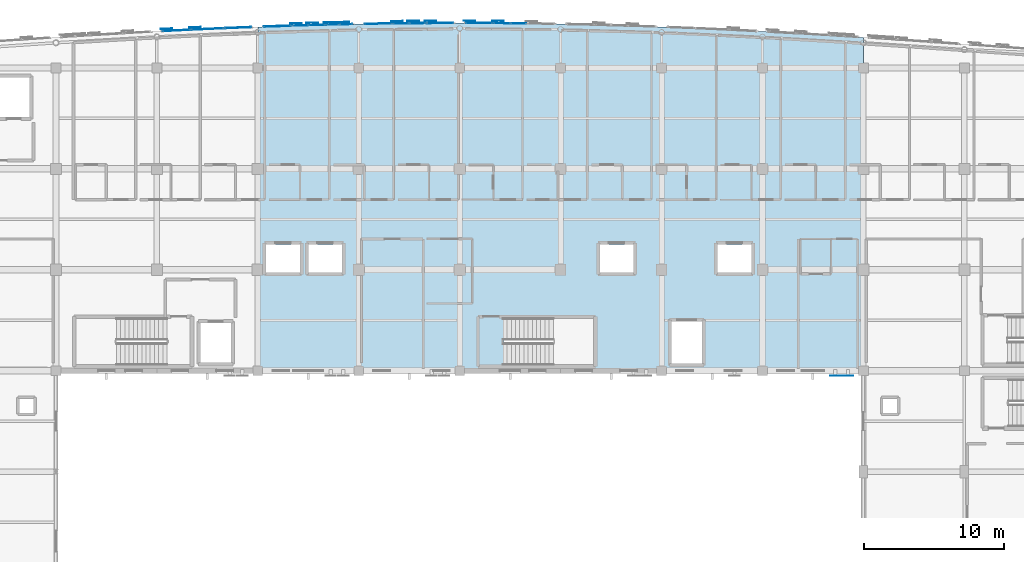
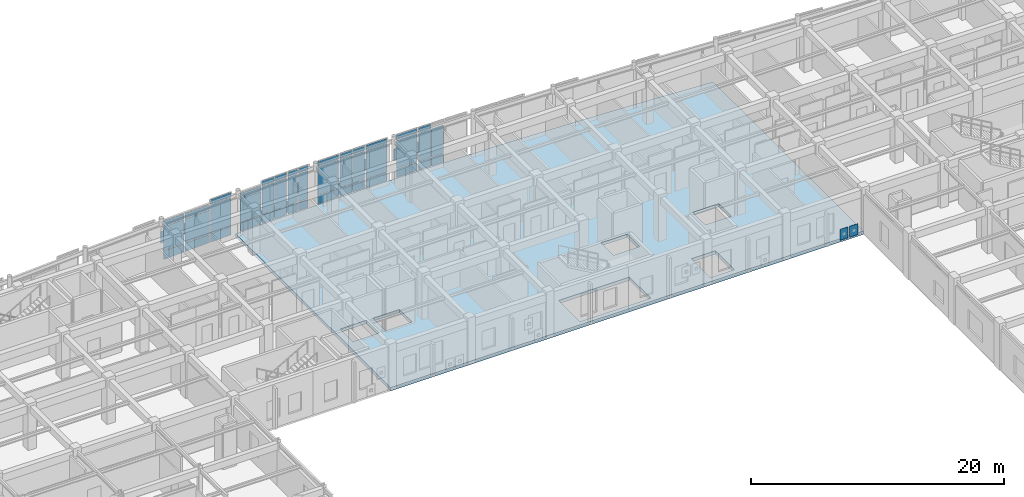
# One storey, part 65 of 106: 57 plates, 1 slab, 11 elements without a shape of their own.
"""IFC4 building model written with IfcOpenShell, lengths in metres."""

import ifcopenshell
import ifcopenshell.guid

model = None  # the IFC model being written
_history = None  # IfcOwnerHistory: only IFC2X3 demands one
_inside = {}  # id of a spatial element -> (the spatial element, [elements in it])
_under = {}  # id of a project, library or spatial element -> (it, [spatial elements below it])
_declared = {}  # id of a project -> (the project, [libraries it declares])
_typed = {}  # id of a type object -> (the type object, [elements of that type])
_made_of = {}  # id of a material, layer set ... -> (it, [elements and type objects made of it])


def new_model(schema):
    """Start an empty IFC model of exactly this schema.

    Asked for "IFC4X3", IfcOpenShell would pick the latest addendum, in which some entities
    have other attributes; the version numbers below select the first issue.
    IFC2X3 requires an IfcOwnerHistory on every rooted entity: one is made here for all.
    """
    global model, _history
    if schema == "IFC4X3":
        model = ifcopenshell.file(schema_version=(4, 3, 0, 0))
    else:
        model = ifcopenshell.file(schema=schema)
    _inside.clear()
    _under.clear()
    _declared.clear()
    _typed.clear()
    _made_of.clear()
    _history = None
    if model.schema == "IFC2X3":
        org = make("IfcOrganization", Name="unknown")
        user = make(
            "IfcPersonAndOrganization",
            ThePerson=make("IfcPerson", FamilyName="unknown"),
            TheOrganization=org,
        )
        app = make(
            "IfcApplication",
            ApplicationDeveloper=org,
            Version="unknown",
            ApplicationFullName="unknown",
            ApplicationIdentifier="unknown",
        )
        _history = make(
            "IfcOwnerHistory",
            OwningUser=user,
            OwningApplication=app,
            ChangeAction="ADDED",
            CreationDate=0,
        )
    return model


def make(cls, **values):
    """One entity of the class cls with the attributes given. An attribute that is None is left unset."""
    return model.create_entity(
        cls, **{name: value for name, value in values.items() if value is not None}
    )


def rooted(cls, **values):
    """An entity with a GlobalId (a new one), such as an element, a storey or a relation."""
    return make(cls, GlobalId=ifcopenshell.guid.new(), OwnerHistory=_history, **values)


def si_unit(unit_type, name, prefix=None):
    """IfcSIUnit, for example si_unit("LENGTHUNIT", "METRE", prefix="MILLI")."""
    return make("IfcSIUnit", UnitType=unit_type, Prefix=prefix, Name=name)


def assignment(units):
    """IfcUnitAssignment: the units of a project."""
    return None if units is None else make("IfcUnitAssignment", Units=units)


def point(xyz):
    """IfcCartesianPoint."""
    return None if xyz is None else make("IfcCartesianPoint", Coordinates=xyz)


def direction(xyz):
    """IfcDirection."""
    return None if xyz is None else make("IfcDirection", DirectionRatios=xyz)


def frame(location, z_axis=None, x_axis=None):
    """IfcAxis2Placement3D, a coordinate frame: its origin and axes. An axis left out is left unset."""
    return make(
        "IfcAxis2Placement3D",
        Location=point(location),
        Axis=direction(z_axis),
        RefDirection=direction(x_axis),
    )


def frame_2d(location, x_axis=None):
    """IfcAxis2Placement2D, a coordinate frame in the plane: its origin and x axis."""
    return make(
        "IfcAxis2Placement2D", Location=point(location), RefDirection=direction(x_axis)
    )


def origin():
    """The frame at (0, 0, 0) with its axes left unset."""
    return frame((0.0, 0.0, 0.0))


def origin_2d():
    """The frame at (0, 0) in the plane with its x axis left unset."""
    return frame_2d((0.0, 0.0))


def place(relative_to, where):
    """IfcLocalPlacement: puts the frame where relative to a parent placement (None: the world)."""
    return make(
        "IfcLocalPlacement", PlacementRelTo=relative_to, RelativePlacement=where
    )


def context(
    kind, dimensions, precision=None, world=None, true_north=None, identifier=None
):
    """IfcGeometricRepresentationContext, for example the 3D "Model" context."""
    return make(
        "IfcGeometricRepresentationContext",
        ContextIdentifier=identifier,
        ContextType=kind,
        CoordinateSpaceDimension=dimensions,
        Precision=precision,
        WorldCoordinateSystem=world,
        TrueNorth=true_north,
    )


def subcontext(parent, identifier, kind, view, scale=None):
    """IfcGeometricRepresentationSubContext, for example "Body" below "Model"."""
    return make(
        "IfcGeometricRepresentationSubContext",
        ContextIdentifier=identifier,
        ContextType=kind,
        ParentContext=parent,
        TargetScale=scale,
        TargetView=view,
    )


def project(units=None, contexts=None):
    """IfcProject with its units and contexts."""
    return rooted(
        "IfcProject",
        Name="project",
        RepresentationContexts=contexts,
        UnitsInContext=assignment(units),
    )


def spatial(cls, under=None, at=None, **own):
    """A site, building, storey or space (cls), placed at a placement, below another one or the project."""
    s = rooted(cls, ObjectPlacement=at, **own)
    if under is not None:
        _under.setdefault(under.id(), (under, []))[1].append(s)
    return s


def polyline(points):
    """IfcPolyline through the points."""
    return make("IfcPolyline", Points=[point(p) for p in points])


def profile(cls, at=None, kind="AREA", **sizes):
    """A parametric profile (cls). Its sizes go by their IFC names, for example OverallWidth=200.0."""
    return make(cls, ProfileType=kind, Position=at, **sizes)


def rectangle(**sizes):
    """IfcRectangleProfileDef."""
    return profile("IfcRectangleProfileDef", **sizes)


def outline(outer, holes=None, kind="AREA"):
    """IfcArbitraryClosedProfileDef: a profile drawn as a closed curve; with holes, ...WithVoids."""
    if holes is None:
        return make("IfcArbitraryClosedProfileDef", ProfileType=kind, OuterCurve=outer)
    return make(
        "IfcArbitraryProfileDefWithVoids",
        ProfileType=kind,
        OuterCurve=outer,
        InnerCurves=holes,
    )


def extrude(swept, where, along, depth):
    """IfcExtrudedAreaSolid: the profile swept, set in the frame where, extruded along a direction by depth."""
    return make(
        "IfcExtrudedAreaSolid",
        SweptArea=swept,
        Position=where,
        ExtrudedDirection=direction(along),
        Depth=depth,
    )


def shape(context_of_items, identifier, shape_type, items):
    """IfcShapeRepresentation: the items that make up one representation, for example the "Body"."""
    return make(
        "IfcShapeRepresentation",
        ContextOfItems=context_of_items,
        RepresentationIdentifier=identifier,
        RepresentationType=shape_type,
        Items=items,
    )


def material(Name=None, Category=None):
    """IfcMaterial."""
    return make("IfcMaterial", Name=Name, Category=Category)


def layer(
    of_material, thickness, ventilated=None, Name=None, Category=None, Priority=None
):
    """IfcMaterialLayer: one layer of a wall or slab, of a material (None: an air gap)."""
    return make(
        "IfcMaterialLayer",
        Material=of_material,
        LayerThickness=thickness,
        IsVentilated=ventilated,
        Name=Name,
        Category=Category,
        Priority=Priority,
    )


def layer_set(layers, Name=None):
    """IfcMaterialLayerSet."""
    return make("IfcMaterialLayerSet", MaterialLayers=layers, LayerSetName=Name)


def made_of(thing, what):
    """Note that an element or type object is made of a material, layer set ...; save() writes the relation."""
    if what is not None:
        _made_of.setdefault(what.id(), (what, []))[1].append(thing)
    return thing


def type_object(cls, material=None, **own):
    """A type object (cls), such as IfcWallType, which elements share."""
    return made_of(rooted(cls, **own), material)


def element(
    cls,
    number,
    at=None,
    inside=None,
    cuts=None,
    type_object=None,
    material=None,
    context=None,
    identifier="Body",
    shape_type=None,
    held_by="IfcProductDefinitionShape",
    body=None,
    shapes=None,
    **own,
):
    """One element of the class cls, such as IfcWall. Its Tag is "e" and its number.

    at: its placement. inside: the storey or other place that contains it. cuts: it is an
    opening in that element (IfcRelVoidsElement). A single representation is given by context,
    identifier, shape_type and body (its items); several are given by shapes. held_by: the class
    of the entity that holds the representations. save() writes the other relations.
    """
    e = rooted(cls, Tag="e%d" % number, ObjectPlacement=at, **own)
    if body is not None:
        shapes = [shape(context, identifier, shape_type, body)]
    if shapes is not None:
        e.Representation = make(held_by, Representations=shapes)
    if inside is not None:
        _inside.setdefault(inside.id(), (inside, []))[1].append(e)
    if cuts is not None:
        rooted(
            "IfcRelVoidsElement", RelatingBuildingElement=cuts, RelatedOpeningElement=e
        )
    if type_object is not None:
        _typed.setdefault(type_object.id(), (type_object, []))[1].append(e)
    return made_of(e, material)


def aggregate(whole, parts):
    """IfcRelAggregates: a whole, such as a stair, and the parts it consists of."""
    return rooted("IfcRelAggregates", RelatingObject=whole, RelatedObjects=parts)


def save(model, path):
    """Write the relations noted so far, then the file.

    IfcRelAggregates (storeys below a building ...), IfcRelContainedInSpatialStructure (elements
    in a storey), IfcRelDefinesByType, IfcRelAssociatesMaterial and IfcRelDeclares: one each for
    every whole, place, type object, material and project.
    """
    for whole, parts in _under.values():
        aggregate(whole, parts)
    for where, things in _inside.values():
        rooted(
            "IfcRelContainedInSpatialStructure",
            RelatedElements=things,
            RelatingStructure=where,
        )
    for kind, things in _typed.values():
        rooted("IfcRelDefinesByType", RelatedObjects=things, RelatingType=kind)
    for what, things in _made_of.values():
        rooted("IfcRelAssociatesMaterial", RelatedObjects=things, RelatingMaterial=what)
    for by, libraries in _declared.values():
        rooted("IfcRelDeclares", RelatingContext=by, RelatedDefinitions=libraries)
    model.write(path)


model = new_model("IFC4")

# Units and contexts
model_context = context("Model", 3, precision=1e-05, world=origin(), true_north=direction((0.0, 1.0)))
body_context = subcontext(model_context, "Body", "Model", "MODEL_VIEW")
ifc_project = project(units=[si_unit("LENGTHUNIT", "METRE"), si_unit("AREAUNIT", "SQUARE_METRE"), si_unit("VOLUMEUNIT", "CUBIC_METRE"), si_unit("PLANEANGLEUNIT", "RADIAN"), si_unit("MASSUNIT", "GRAM", prefix="KILO")], contexts=[model_context])

# Site, building, storey
site_placement = place(None, origin())
site = spatial("IfcSite", under=ifc_project, at=site_placement, CompositionType="ELEMENT")
building_placement = place(site_placement, origin())
building = spatial("IfcBuilding", under=site, at=building_placement, Name="Carrowvane Square Congress Hotel", CompositionType="ELEMENT")
storey_placement = place(building_placement, frame((0.0, 0.0, 10.5)))
storey = spatial("IfcBuildingStorey", under=building, at=storey_placement, Name="L02", CompositionType="ELEMENT", Elevation=10.5)

# Curtain wall, plates
ifc_material_1 = material(Name="Anodised aluminium", Category="aluminium")
ifc_layer_1 = layer(ifc_material_1, 0.23388671875)
ifc_layer_set_1 = layer_set([ifc_layer_1], Name="Anodised aluminium")
curtain_wall_type_1 = type_object("IfcCurtainWallType", Name="CW-SYS-7", PredefinedType="NOTDEFINED", material=ifc_layer_set_1)
curtain_wall_1_placement = place(storey_placement, origin())
curtain_wall_1 = element("IfcCurtainWall", 1, at=curtain_wall_1_placement, inside=storey, type_object=curtain_wall_type_1, Name="L02 unitised curtain wall 150", PredefinedType="NOTDEFINED")
ifc_material_2 = material(Name="Double-glazed low-E glass", Category="glass")
ifc_layer_2 = layer(ifc_material_2, 0.028076171875)
ifc_layer_set_2 = layer_set([ifc_layer_2], Name="Double-glazed low-E glass")
plate_type_1 = type_object("IfcPlateType", Name="CW-PAN-1", PredefinedType="CURTAIN_PANEL", material=ifc_layer_set_2)
plate_1_placement = place(storey_placement, frame((86.614990234375, 116.424560546875, 0.06005859375), z_axis=(0.0, 0.0, 1.0), x_axis=(0.999589848065, 0.028638010501, 0.0)))
plate_1 = element("IfcPlate", 2, at=plate_1_placement, type_object=plate_type_1, Name="CW-7 panel 1.1", PredefinedType="CURTAIN_PANEL", context=body_context, shape_type="SweptSolid", body=[
    extrude(rectangle(XDim=1.110595703125, YDim=0.028076171875, at=origin_2d()), origin(), (0.0, 0.0, 1.0), 0.81005859375),
])
plate_2_placement = place(storey_placement, frame((86.614990234375, 116.424560546875, 0.929931640625), z_axis=(0.0, 0.0, 1.0), x_axis=(0.999589848065, 0.028638010501, 0.0)))
plate_2 = element("IfcPlate", 3, at=plate_2_placement, type_object=plate_type_1, Name="CW-7 panel 1.2", PredefinedType="CURTAIN_PANEL", context=body_context, shape_type="SweptSolid", body=[
    extrude(rectangle(XDim=1.110595703125, YDim=0.028076171875, at=origin_2d()), origin(), (0.0, 0.0, 1.0), 2.7099609375),
])
plate_3_placement = place(storey_placement, frame((86.614990234375, 116.424560546875, 3.699951171875), z_axis=(0.0, 0.0, 1.0), x_axis=(0.999589848065, 0.028638010501, 0.0)))
plate_3 = element("IfcPlate", 4, at=plate_3_placement, type_object=plate_type_1, Name="CW-7 panel 1.3", PredefinedType="CURTAIN_PANEL", context=body_context, shape_type="SweptSolid", body=[
    extrude(rectangle(XDim=1.110595703125, YDim=0.028076171875, at=origin_2d()), origin(), (0.0, 0.0, 1.0), 0.4599609375),
])
plate_4_placement = place(storey_placement, frame((87.784912109375, 116.4580078125, 0.06005859375), z_axis=(0.0, 0.0, 1.0), x_axis=(0.999589848065, 0.028638010501, 0.0)))
plate_4 = element("IfcPlate", 5, at=plate_4_placement, type_object=plate_type_1, Name="CW-7 panel 2.1", PredefinedType="CURTAIN_PANEL", context=body_context, shape_type="SweptSolid", body=[
    extrude(rectangle(XDim=1.110595703125, YDim=0.028076171875, at=origin_2d()), origin(), (0.0, 0.0, 1.0), 0.81005859375),
])
plate_5_placement = place(storey_placement, frame((87.784912109375, 116.4580078125, 0.929931640625), z_axis=(0.0, 0.0, 1.0), x_axis=(0.999589848065, 0.028638010501, 0.0)))
plate_5 = element("IfcPlate", 6, at=plate_5_placement, type_object=plate_type_1, Name="CW-7 panel 2.2", PredefinedType="CURTAIN_PANEL", context=body_context, shape_type="SweptSolid", body=[
    extrude(rectangle(XDim=1.110595703125, YDim=0.028076171875, at=origin_2d()), origin(), (0.0, 0.0, 1.0), 2.7099609375),
])
plate_6_placement = place(storey_placement, frame((87.784912109375, 116.4580078125, 3.699951171875), z_axis=(0.0, 0.0, 1.0), x_axis=(0.999589848065, 0.028638010501, 0.0)))
plate_6 = element("IfcPlate", 7, at=plate_6_placement, type_object=plate_type_1, Name="CW-7 panel 2.3", PredefinedType="CURTAIN_PANEL", context=body_context, shape_type="SweptSolid", body=[
    extrude(rectangle(XDim=1.110595703125, YDim=0.028076171875, at=origin_2d()), origin(), (0.0, 0.0, 1.0), 0.4599609375),
])
aggregate(curtain_wall_1, [plate_1, plate_2, plate_3, plate_4, plate_5, plate_6])

ifc_material_3 = material(Name="Anodised aluminium", Category="aluminium")
ifc_layer_3 = layer(ifc_material_3, 0.197998046875)
ifc_layer_set_3 = layer_set([ifc_layer_3], Name="Anodised aluminium")
curtain_wall_type_2 = type_object("IfcCurtainWallType", Name="CW-SYS-4", PredefinedType="NOTDEFINED", material=ifc_layer_set_3)
curtain_wall_2_placement = place(storey_placement, origin())
curtain_wall_2 = element("IfcCurtainWall", 8, at=curtain_wall_2_placement, inside=storey, type_object=curtain_wall_type_2, Name="L02 unitised curtain wall 155", PredefinedType="NOTDEFINED")
plate_7_placement = place(storey_placement, frame((99.392333984375, 116.595458984375, 0.070068359375), z_axis=(0.0, 0.0, 1.0), x_axis=(0.999994652529, -0.003270307911, 0.0)))
plate_7 = element("IfcPlate", 9, at=plate_7_placement, type_object=plate_type_1, Name="CW-4 panel 1.1", PredefinedType="CURTAIN_PANEL", context=body_context, shape_type="SweptSolid", body=[
    extrude(rectangle(XDim=1.875, YDim=0.028076171875, at=origin_2d()), origin(), (0.0, 0.0, 1.0), 0.794921875),
])
plate_8_placement = place(storey_placement, frame((99.392333984375, 116.595458984375, 0.93505859375), z_axis=(0.0, 0.0, 1.0), x_axis=(0.999994652529, -0.003270307911, 0.0)))
plate_8 = element("IfcPlate", 10, at=plate_8_placement, type_object=plate_type_1, Name="CW-4 panel 1.2", PredefinedType="CURTAIN_PANEL", context=body_context, shape_type="SweptSolid", body=[
    extrude(rectangle(XDim=1.875, YDim=0.028076171875, at=origin_2d()), origin(), (0.0, 0.0, 1.0), 2.699951171875),
])
plate_9_placement = place(storey_placement, frame((99.392333984375, 116.595458984375, 3.705078125), z_axis=(0.0, 0.0, 1.0), x_axis=(0.999994652529, -0.003270307911, 0.0)))
plate_9 = element("IfcPlate", 11, at=plate_9_placement, type_object=plate_type_1, Name="CW-4 panel 1.3", PredefinedType="CURTAIN_PANEL", context=body_context, shape_type="SweptSolid", body=[
    extrude(rectangle(XDim=1.875, YDim=0.028076171875, at=origin_2d()), origin(), (0.0, 0.0, 1.0), 0.445068359375),
])
aggregate(curtain_wall_2, [plate_7, plate_8, plate_9])

ifc_material_4 = material(Name="Anodised aluminium", Category="aluminium")
ifc_layer_4 = layer(ifc_material_4, 0.18603515625)
ifc_layer_set_4 = layer_set([ifc_layer_4], Name="Anodised aluminium")
curtain_wall_type_3 = type_object("IfcCurtainWallType", Name="CW-SYS-3", PredefinedType="NOTDEFINED", material=ifc_layer_set_4)
curtain_wall_3_placement = place(storey_placement, origin())
curtain_wall_3 = element("IfcCurtainWall", 12, at=curtain_wall_3_placement, inside=storey, type_object=curtain_wall_type_3, Name="L02 unitised curtain wall 146", PredefinedType="NOTDEFINED")
ifc_material_5 = material(Name="Double-glazed low-E glass", Category="glass")
ifc_layer_5 = layer(ifc_material_5, 0.031982421875)
ifc_layer_set_5 = layer_set([ifc_layer_5], Name="Double-glazed low-E glass")
plate_type_2 = type_object("IfcPlateType", Name="CW-PAN-2", PredefinedType="CURTAIN_PANEL", material=ifc_layer_set_5)
plate_10_placement = place(storey_placement, frame((77.7822265625, 116.067138671875, 0.06005859375), z_axis=(0.0, 0.0, 1.0), x_axis=(0.998732955299, 0.050323791596, 0.0)))
plate_10 = element("IfcPlate", 13, at=plate_10_placement, type_object=plate_type_2, Name="CW-3 panel 1.1", PredefinedType="CURTAIN_PANEL", context=body_context, shape_type="SweptSolid", body=[
    extrude(rectangle(XDim=1.91796875, YDim=0.031982421875, at=origin_2d()), origin(), (0.0, 0.0, 1.0), 0.81005859375),
])
plate_11_placement = place(storey_placement, frame((77.7822265625, 116.067138671875, 0.929931640625), z_axis=(0.0, 0.0, 1.0), x_axis=(0.998732955299, 0.050323791596, 0.0)))
plate_11 = element("IfcPlate", 14, at=plate_11_placement, type_object=plate_type_2, Name="CW-3 panel 1.2", PredefinedType="CURTAIN_PANEL", context=body_context, shape_type="SweptSolid", body=[
    extrude(rectangle(XDim=1.91796875, YDim=0.031982421875, at=origin_2d()), origin(), (0.0, 0.0, 1.0), 2.28564453125),
])
plate_12_placement = place(storey_placement, frame((77.7822265625, 116.067138671875, 3.275634765625), z_axis=(0.0, 0.0, 1.0), x_axis=(0.998732955299, 0.050323791596, 0.0)))
plate_12 = element("IfcPlate", 15, at=plate_12_placement, type_object=plate_type_2, Name="CW-3 panel 1.3", PredefinedType="CURTAIN_PANEL", context=body_context, shape_type="SweptSolid", body=[
    extrude(rectangle(XDim=1.91796875, YDim=0.031982421875, at=origin_2d()), origin(), (0.0, 0.0, 1.0), 0.4599609375),
])
aggregate(curtain_wall_3, [plate_10, plate_11, plate_12])

ifc_material_6 = material(Name="Anodised aluminium", Category="aluminium")
ifc_layer_6 = layer(ifc_material_6, 0.24609375)
ifc_layer_set_6 = layer_set([ifc_layer_6], Name="Anodised aluminium")
curtain_wall_type_4 = type_object("IfcCurtainWallType", Name="CW-SYS-8", PredefinedType="NOTDEFINED", material=ifc_layer_set_6)
curtain_wall_4_placement = place(storey_placement, origin())
curtain_wall_4 = element("IfcCurtainWall", 16, at=curtain_wall_4_placement, inside=storey, type_object=curtain_wall_type_4, Name="L02 unitised curtain wall 151", PredefinedType="NOTDEFINED")
plate_13_placement = place(storey_placement, frame((88.91943359375, 116.4873046875, 0.070068359375), z_axis=(0.0, 0.0, 1.0), x_axis=(0.99974644475, 0.022517686606, 0.0)))
plate_13 = element("IfcPlate", 17, at=plate_13_placement, type_object=plate_type_2, Name="CW-8 panel 1.1", PredefinedType="CURTAIN_PANEL", context=body_context, shape_type="SweptSolid", body=[
    extrude(rectangle(XDim=0.899169921875, YDim=0.031982421875, at=origin_2d()), origin(), (0.0, 0.0, 1.0), 0.794921875),
])
plate_14_placement = place(storey_placement, frame((88.91943359375, 116.4873046875, 0.93505859375), z_axis=(0.0, 0.0, 1.0), x_axis=(0.99974644475, 0.022517686606, 0.0)))
plate_14 = element("IfcPlate", 18, at=plate_14_placement, type_object=plate_type_2, Name="CW-8 panel 1.2", PredefinedType="CURTAIN_PANEL", context=body_context, shape_type="SweptSolid", body=[
    extrude(rectangle(XDim=0.899169921875, YDim=0.031982421875, at=origin_2d()), origin(), (0.0, 0.0, 1.0), 2.699951171875),
])
plate_15_placement = place(storey_placement, frame((88.91943359375, 116.4873046875, 3.705078125), z_axis=(0.0, 0.0, 1.0), x_axis=(0.99974644475, 0.022517686606, 0.0)))
plate_15 = element("IfcPlate", 19, at=plate_15_placement, type_object=plate_type_2, Name="CW-8 panel 1.3", PredefinedType="CURTAIN_PANEL", context=body_context, shape_type="SweptSolid", body=[
    extrude(rectangle(XDim=0.899169921875, YDim=0.031982421875, at=origin_2d()), origin(), (0.0, 0.0, 1.0), 0.445068359375),
])
plate_16_placement = place(storey_placement, frame((89.88818359375, 116.50927734375, 0.070068359375), z_axis=(0.0, 0.0, 1.0), x_axis=(0.99974644475, 0.022517686606, 0.0)))
plate_16 = element("IfcPlate", 20, at=plate_16_placement, type_object=plate_type_2, Name="CW-8 panel 2.1", PredefinedType="CURTAIN_PANEL", context=body_context, shape_type="SweptSolid", body=[
    extrude(rectangle(XDim=0.899169921875, YDim=0.031982421875, at=origin_2d()), origin(), (0.0, 0.0, 1.0), 0.794921875),
])
plate_17_placement = place(storey_placement, frame((89.88818359375, 116.50927734375, 0.93505859375), z_axis=(0.0, 0.0, 1.0), x_axis=(0.99974644475, 0.022517686606, 0.0)))
plate_17 = element("IfcPlate", 21, at=plate_17_placement, type_object=plate_type_2, Name="CW-8 panel 2.2", PredefinedType="CURTAIN_PANEL", context=body_context, shape_type="SweptSolid", body=[
    extrude(rectangle(XDim=0.899169921875, YDim=0.031982421875, at=origin_2d()), origin(), (0.0, 0.0, 1.0), 2.699951171875),
])
plate_18_placement = place(storey_placement, frame((89.88818359375, 116.50927734375, 3.705078125), z_axis=(0.0, 0.0, 1.0), x_axis=(0.99974644475, 0.022517686606, 0.0)))
plate_18 = element("IfcPlate", 22, at=plate_18_placement, type_object=plate_type_2, Name="CW-8 panel 2.3", PredefinedType="CURTAIN_PANEL", context=body_context, shape_type="SweptSolid", body=[
    extrude(rectangle(XDim=0.899169921875, YDim=0.031982421875, at=origin_2d()), origin(), (0.0, 0.0, 1.0), 0.445068359375),
])
aggregate(curtain_wall_4, [plate_13, plate_14, plate_15, plate_16, plate_17, plate_18])

ifc_material_7 = material(Name="Anodised aluminium", Category="aluminium")
ifc_layer_7 = layer(ifc_material_7, 0.2099609375)
ifc_layer_set_7 = layer_set([ifc_layer_7], Name="Anodised aluminium")
curtain_wall_type_5 = type_object("IfcCurtainWallType", Name="CW-SYS-5", PredefinedType="NOTDEFINED", material=ifc_layer_set_7)
curtain_wall_5_placement = place(storey_placement, origin())
curtain_wall_5 = element("IfcCurtainWall", 23, at=curtain_wall_5_placement, inside=storey, type_object=curtain_wall_type_5, Name="L02 unitised curtain wall 156", PredefinedType="NOTDEFINED")
plate_19_placement = place(storey_placement, frame((101.014892578125, 116.586181640625, 0.06005859375), z_axis=(0.0, 0.0, 1.0), x_axis=(0.999952146231, -0.009782905924, 0.0)))
plate_19 = element("IfcPlate", 24, at=plate_19_placement, type_object=plate_type_2, Name="CW-5 panel 1.1", PredefinedType="CURTAIN_PANEL", context=body_context, shape_type="SweptSolid", body=[
    extrude(rectangle(XDim=1.110107421875, YDim=0.031982421875, at=origin_2d()), origin(), (0.0, 0.0, 1.0), 0.81005859375),
])
plate_20_placement = place(storey_placement, frame((101.014892578125, 116.586181640625, 0.929931640625), z_axis=(0.0, 0.0, 1.0), x_axis=(0.999952146231, -0.009782905924, 0.0)))
plate_20 = element("IfcPlate", 25, at=plate_20_placement, type_object=plate_type_2, Name="CW-5 panel 1.2", PredefinedType="CURTAIN_PANEL", context=body_context, shape_type="SweptSolid", body=[
    extrude(rectangle(XDim=1.110107421875, YDim=0.031982421875, at=origin_2d()), origin(), (0.0, 0.0, 1.0), 2.7099609375),
])
plate_21_placement = place(storey_placement, frame((101.014892578125, 116.586181640625, 3.699951171875), z_axis=(0.0, 0.0, 1.0), x_axis=(0.999952146231, -0.009782905924, 0.0)))
plate_21 = element("IfcPlate", 26, at=plate_21_placement, type_object=plate_type_2, Name="CW-5 panel 1.3", PredefinedType="CURTAIN_PANEL", context=body_context, shape_type="SweptSolid", body=[
    extrude(rectangle(XDim=1.110107421875, YDim=0.031982421875, at=origin_2d()), origin(), (0.0, 0.0, 1.0), 0.4599609375),
])
plate_22_placement = place(storey_placement, frame((102.18505859375, 116.57470703125, 0.06005859375), z_axis=(0.0, 0.0, 1.0), x_axis=(0.999952146231, -0.009782905924, 0.0)))
plate_22 = element("IfcPlate", 27, at=plate_22_placement, type_object=plate_type_2, Name="CW-5 panel 2.1", PredefinedType="CURTAIN_PANEL", context=body_context, shape_type="SweptSolid", body=[
    extrude(rectangle(XDim=1.110107421875, YDim=0.031982421875, at=origin_2d()), origin(), (0.0, 0.0, 1.0), 0.81005859375),
])
plate_23_placement = place(storey_placement, frame((102.18505859375, 116.57470703125, 0.929931640625), z_axis=(0.0, 0.0, 1.0), x_axis=(0.999952146231, -0.009782905924, 0.0)))
plate_23 = element("IfcPlate", 28, at=plate_23_placement, type_object=plate_type_2, Name="CW-5 panel 2.2", PredefinedType="CURTAIN_PANEL", context=body_context, shape_type="SweptSolid", body=[
    extrude(rectangle(XDim=1.110107421875, YDim=0.031982421875, at=origin_2d()), origin(), (0.0, 0.0, 1.0), 2.7099609375),
])
aggregate(curtain_wall_5, [plate_19, plate_20, plate_21, plate_22, plate_23])

curtain_wall_6_placement = place(storey_placement, origin())
curtain_wall_6 = element("IfcCurtainWall", 29, at=curtain_wall_6_placement, inside=storey, type_object=curtain_wall_type_2, Name="L02 unitised curtain wall 147", PredefinedType="NOTDEFINED")
ifc_material_8 = material(Name="Double-glazed low-E glass", Category="glass")
ifc_layer_8 = layer(ifc_material_8, 0.035888671875)
ifc_layer_set_8 = layer_set([ifc_layer_8], Name="Double-glazed low-E glass")
plate_type_3 = type_object("IfcPlateType", Name="CW-PAN-3", PredefinedType="CURTAIN_PANEL", material=ifc_layer_set_8)
plate_24_placement = place(storey_placement, frame((80.0, 116.173095703125, 0.070068359375), z_axis=(0.0, 0.0, 1.0), x_axis=(0.998968385726, 0.045411059449, 0.0)))
plate_24 = element("IfcPlate", 30, at=plate_24_placement, type_object=plate_type_3, Name="CW-4 panel 1.1", PredefinedType="CURTAIN_PANEL", context=body_context, shape_type="SweptSolid", body=[
    extrude(rectangle(XDim=2.262451171875, YDim=0.035888671875, at=origin_2d()), origin(), (0.0, 0.0, 1.0), 0.794921875),
])
plate_25_placement = place(storey_placement, frame((80.0, 116.173095703125, 0.93505859375), z_axis=(0.0, 0.0, 1.0), x_axis=(0.998968385726, 0.045411059449, 0.0)))
plate_25 = element("IfcPlate", 31, at=plate_25_placement, type_object=plate_type_3, Name="CW-4 panel 1.2", PredefinedType="CURTAIN_PANEL", context=body_context, shape_type="SweptSolid", body=[
    extrude(rectangle(XDim=2.262451171875, YDim=0.035888671875, at=origin_2d()), origin(), (0.0, 0.0, 1.0), 2.275634765625),
])
plate_26_placement = place(storey_placement, frame((80.0, 116.173095703125, 3.28076171875), z_axis=(0.0, 0.0, 1.0), x_axis=(0.998968385726, 0.045411059449, 0.0)))
plate_26 = element("IfcPlate", 32, at=plate_26_placement, type_object=plate_type_3, Name="CW-4 panel 1.3", PredefinedType="CURTAIN_PANEL", context=body_context, shape_type="SweptSolid", body=[
    extrude(rectangle(XDim=2.262451171875, YDim=0.035888671875, at=origin_2d()), origin(), (0.0, 0.0, 1.0), 0.445068359375),
])
aggregate(curtain_wall_6, [plate_24, plate_25, plate_26])

ifc_material_9 = material(Name="Anodised aluminium", Category="aluminium")
ifc_layer_9 = layer(ifc_material_9, 0.162109375)
ifc_layer_set_9 = layer_set([ifc_layer_9], Name="Anodised aluminium")
curtain_wall_type_6 = type_object("IfcCurtainWallType", Name="CW-SYS-1", PredefinedType="NOTDEFINED", material=ifc_layer_set_9)
curtain_wall_7_placement = place(storey_placement, origin())
curtain_wall_7 = element("IfcCurtainWall", 33, at=curtain_wall_7_placement, inside=storey, type_object=curtain_wall_type_6, Name="L02 unitised curtain wall 152", PredefinedType="NOTDEFINED")
plate_27_placement = place(storey_placement, frame((92.188720703125, 116.55224609375, 0.06005859375), z_axis=(0.0, 0.0, 1.0), x_axis=(0.99986851233, 0.016215981364, 0.0)))
plate_27 = element("IfcPlate", 34, at=plate_27_placement, type_object=plate_type_3, Name="CW-1 panel 1.1", PredefinedType="CURTAIN_PANEL", context=body_context, shape_type="SweptSolid", body=[
    extrude(rectangle(XDim=1.902587890625, YDim=0.035888671875, at=origin_2d()), origin(), (0.0, 0.0, 1.0), 0.81005859375),
])
plate_28_placement = place(storey_placement, frame((92.188720703125, 116.55224609375, 0.929931640625), z_axis=(0.0, 0.0, 1.0), x_axis=(0.99986851233, 0.016215981364, 0.0)))
plate_28 = element("IfcPlate", 35, at=plate_28_placement, type_object=plate_type_3, Name="CW-1 panel 1.2", PredefinedType="CURTAIN_PANEL", context=body_context, shape_type="SweptSolid", body=[
    extrude(rectangle(XDim=1.902587890625, YDim=0.035888671875, at=origin_2d()), origin(), (0.0, 0.0, 1.0), 2.7099609375),
])
plate_29_placement = place(storey_placement, frame((92.188720703125, 116.55224609375, 3.699951171875), z_axis=(0.0, 0.0, 1.0), x_axis=(0.99986851233, 0.016215981364, 0.0)))
plate_29 = element("IfcPlate", 36, at=plate_29_placement, type_object=plate_type_3, Name="CW-1 panel 1.3", PredefinedType="CURTAIN_PANEL", context=body_context, shape_type="SweptSolid", body=[
    extrude(rectangle(XDim=1.902587890625, YDim=0.035888671875, at=origin_2d()), origin(), (0.0, 0.0, 1.0), 0.4599609375),
])
aggregate(curtain_wall_7, [plate_27, plate_28, plate_29])

curtain_wall_8_placement = place(storey_placement, origin())
curtain_wall_8 = element("IfcCurtainWall", 37, at=curtain_wall_8_placement, inside=storey, type_object=curtain_wall_type_5, Name="L02 unitised curtain wall 148", PredefinedType="NOTDEFINED")
ifc_material_10 = material(Name="Double-glazed low-E glass", Category="glass")
ifc_layer_10 = layer(ifc_material_10, 0.0419921875)
ifc_layer_set_10 = layer_set([ifc_layer_10], Name="Double-glazed low-E glass")
plate_type_4 = type_object("IfcPlateType", Name="CW-PAN-4", PredefinedType="CURTAIN_PANEL", material=ifc_layer_set_10)
plate_30_placement = place(storey_placement, frame((82.200439453125, 116.267822265625, 0.06005859375), z_axis=(0.0, 0.0, 1.0), x_axis=(0.999194236464, 0.040135742379, 0.0)))
plate_30 = element("IfcPlate", 38, at=plate_30_placement, type_object=plate_type_4, Name="CW-5 panel 1.1", PredefinedType="CURTAIN_PANEL", context=body_context, shape_type="SweptSolid", body=[
    extrude(rectangle(XDim=1.8828125, YDim=0.0419921875, at=origin_2d()), origin(), (0.0, 0.0, 1.0), 0.81005859375),
])
plate_31_placement = place(storey_placement, frame((82.200439453125, 116.267822265625, 0.929931640625), z_axis=(0.0, 0.0, 1.0), x_axis=(0.999194236464, 0.040135742379, 0.0)))
plate_31 = element("IfcPlate", 39, at=plate_31_placement, type_object=plate_type_4, Name="CW-5 panel 1.2", PredefinedType="CURTAIN_PANEL", context=body_context, shape_type="SweptSolid", body=[
    extrude(rectangle(XDim=1.8828125, YDim=0.0419921875, at=origin_2d()), origin(), (0.0, 0.0, 1.0), 2.7099609375),
])
plate_32_placement = place(storey_placement, frame((82.200439453125, 116.267822265625, 3.699951171875), z_axis=(0.0, 0.0, 1.0), x_axis=(0.999194236464, 0.040135742379, 0.0)))
plate_32 = element("IfcPlate", 40, at=plate_32_placement, type_object=plate_type_4, Name="CW-5 panel 1.3", PredefinedType="CURTAIN_PANEL", context=body_context, shape_type="SweptSolid", body=[
    extrude(rectangle(XDim=1.8828125, YDim=0.0419921875, at=origin_2d()), origin(), (0.0, 0.0, 1.0), 0.4599609375),
])
aggregate(curtain_wall_8, [plate_30, plate_31, plate_32])

ifc_material_11 = material(Name="Anodised aluminium", Category="aluminium")
ifc_layer_11 = layer(ifc_material_11, 0.174072265625)
ifc_layer_set_11 = layer_set([ifc_layer_11], Name="Anodised aluminium")
curtain_wall_type_7 = type_object("IfcCurtainWallType", Name="CW-SYS-2", PredefinedType="NOTDEFINED", material=ifc_layer_set_11)
curtain_wall_9_placement = place(storey_placement, origin())
curtain_wall_9 = element("IfcCurtainWall", 41, at=curtain_wall_9_placement, inside=storey, type_object=curtain_wall_type_7, Name="L02 unitised curtain wall 153", PredefinedType="NOTDEFINED")
plate_33_placement = place(storey_placement, frame((93.8173828125, 116.57470703125, 0.070068359375), z_axis=(0.0, 0.0, 1.0), x_axis=(0.999952146231, 0.009782905924, 0.0)))
plate_33 = element("IfcPlate", 42, at=plate_33_placement, type_object=plate_type_4, Name="CW-2 panel 1.1", PredefinedType="CURTAIN_PANEL", context=body_context, shape_type="SweptSolid", body=[
    extrude(rectangle(XDim=1.094970703125, YDim=0.0419921875, at=origin_2d()), origin(), (0.0, 0.0, 1.0), 0.794921875),
])
plate_34_placement = place(storey_placement, frame((93.8173828125, 116.57470703125, 0.93505859375), z_axis=(0.0, 0.0, 1.0), x_axis=(0.999952146231, 0.009782905924, 0.0)))
plate_34 = element("IfcPlate", 43, at=plate_34_placement, type_object=plate_type_4, Name="CW-2 panel 1.2", PredefinedType="CURTAIN_PANEL", context=body_context, shape_type="SweptSolid", body=[
    extrude(rectangle(XDim=1.094970703125, YDim=0.0419921875, at=origin_2d()), origin(), (0.0, 0.0, 1.0), 2.699951171875),
])
plate_35_placement = place(storey_placement, frame((93.8173828125, 116.57470703125, 3.705078125), z_axis=(0.0, 0.0, 1.0), x_axis=(0.999952146231, 0.009782905924, 0.0)))
plate_35 = element("IfcPlate", 44, at=plate_35_placement, type_object=plate_type_4, Name="CW-2 panel 1.3", PredefinedType="CURTAIN_PANEL", context=body_context, shape_type="SweptSolid", body=[
    extrude(rectangle(XDim=1.094970703125, YDim=0.0419921875, at=origin_2d()), origin(), (0.0, 0.0, 1.0), 0.445068359375),
])
plate_36_placement = place(storey_placement, frame((94.982421875, 116.586181640625, 0.070068359375), z_axis=(0.0, 0.0, 1.0), x_axis=(0.999952146231, 0.009782905924, 0.0)))
plate_36 = element("IfcPlate", 45, at=plate_36_placement, type_object=plate_type_4, Name="CW-2 panel 2.1", PredefinedType="CURTAIN_PANEL", context=body_context, shape_type="SweptSolid", body=[
    extrude(rectangle(XDim=1.094970703125, YDim=0.0419921875, at=origin_2d()), origin(), (0.0, 0.0, 1.0), 0.794921875),
])
plate_37_placement = place(storey_placement, frame((94.982421875, 116.586181640625, 0.93505859375), z_axis=(0.0, 0.0, 1.0), x_axis=(0.999952146231, 0.009782905924, 0.0)))
plate_37 = element("IfcPlate", 46, at=plate_37_placement, type_object=plate_type_4, Name="CW-2 panel 2.2", PredefinedType="CURTAIN_PANEL", context=body_context, shape_type="SweptSolid", body=[
    extrude(rectangle(XDim=1.094970703125, YDim=0.0419921875, at=origin_2d()), origin(), (0.0, 0.0, 1.0), 2.699951171875),
])
plate_38_placement = place(storey_placement, frame((94.982421875, 116.586181640625, 3.705078125), z_axis=(0.0, 0.0, 1.0), x_axis=(0.999952146231, 0.009782905924, 0.0)))
plate_38 = element("IfcPlate", 47, at=plate_38_placement, type_object=plate_type_4, Name="CW-2 panel 2.3", PredefinedType="CURTAIN_PANEL", context=body_context, shape_type="SweptSolid", body=[
    extrude(rectangle(XDim=1.094970703125, YDim=0.0419921875, at=origin_2d()), origin(), (0.0, 0.0, 1.0), 0.445068359375),
])
aggregate(curtain_wall_9, [plate_33, plate_34, plate_35, plate_36, plate_37, plate_38])

ifc_material_12 = material(Name="Anodised aluminium", Category="aluminium")
ifc_layer_12 = layer(ifc_material_12, 0.221923828125)
ifc_layer_set_12 = layer_set([ifc_layer_12], Name="Anodised aluminium")
curtain_wall_type_8 = type_object("IfcCurtainWallType", Name="CW-SYS-6", PredefinedType="NOTDEFINED", material=ifc_layer_set_12)
curtain_wall_10_placement = place(storey_placement, origin())
curtain_wall_10 = element("IfcCurtainWall", 48, at=curtain_wall_10_placement, inside=storey, type_object=curtain_wall_type_8, Name="L02 unitised curtain wall 149", PredefinedType="NOTDEFINED")
ifc_material_13 = material(Name="Double-glazed low-E glass", Category="glass")
ifc_layer_13 = layer(ifc_material_13, 0.048095703125)
ifc_layer_set_13 = layer_set([ifc_layer_13], Name="Double-glazed low-E glass")
plate_type_5 = type_object("IfcPlateType", Name="CW-PAN-5", PredefinedType="CURTAIN_PANEL", material=ifc_layer_set_13)
plate_39_placement = place(storey_placement, frame((84.9853515625, 116.371826171875, 0.070068359375), z_axis=(0.0, 0.0, 1.0), x_axis=(0.999403774749, 0.034526729036, 0.0)))
plate_39 = element("IfcPlate", 49, at=plate_39_placement, type_object=plate_type_5, Name="CW-6 panel 1.1", PredefinedType="CURTAIN_PANEL", context=body_context, shape_type="SweptSolid", body=[
    extrude(rectangle(XDim=1.890625, YDim=0.048095703125, at=origin_2d()), origin(), (0.0, 0.0, 1.0), 0.794921875),
])
plate_40_placement = place(storey_placement, frame((84.9853515625, 116.371826171875, 0.93505859375), z_axis=(0.0, 0.0, 1.0), x_axis=(0.999403774749, 0.034526729036, 0.0)))
plate_40 = element("IfcPlate", 50, at=plate_40_placement, type_object=plate_type_5, Name="CW-6 panel 1.2", PredefinedType="CURTAIN_PANEL", context=body_context, shape_type="SweptSolid", body=[
    extrude(rectangle(XDim=1.890625, YDim=0.048095703125, at=origin_2d()), origin(), (0.0, 0.0, 1.0), 2.275634765625),
])
plate_41_placement = place(storey_placement, frame((84.9853515625, 116.371826171875, 3.28076171875), z_axis=(0.0, 0.0, 1.0), x_axis=(0.999403774749, 0.034526729036, 0.0)))
plate_41 = element("IfcPlate", 51, at=plate_41_placement, type_object=plate_type_5, Name="CW-6 panel 1.3", PredefinedType="CURTAIN_PANEL", context=body_context, shape_type="SweptSolid", body=[
    extrude(rectangle(XDim=1.890625, YDim=0.048095703125, at=origin_2d()), origin(), (0.0, 0.0, 1.0), 0.445068359375),
])
aggregate(curtain_wall_10, [plate_39, plate_40, plate_41])

curtain_wall_11_placement = place(storey_placement, origin())
curtain_wall_11 = element("IfcCurtainWall", 52, at=curtain_wall_11_placement, inside=storey, type_object=curtain_wall_type_3, Name="L02 unitised curtain wall 154", PredefinedType="NOTDEFINED")
plate_42_placement = place(storey_placement, frame((96.607666015625, 116.595458984375, 0.06005859375), z_axis=(0.0, 0.0, 1.0), x_axis=(0.999994652529, 0.003270307911, 0.0)))
plate_42 = element("IfcPlate", 53, at=plate_42_placement, type_object=plate_type_5, Name="CW-3 panel 1.1", PredefinedType="CURTAIN_PANEL", context=body_context, shape_type="SweptSolid", body=[
    extrude(rectangle(XDim=1.89501953125, YDim=0.048095703125, at=origin_2d()), origin(), (0.0, 0.0, 1.0), 0.81005859375),
])
plate_43_placement = place(storey_placement, frame((96.607666015625, 116.595458984375, 0.929931640625), z_axis=(0.0, 0.0, 1.0), x_axis=(0.999994652529, 0.003270307911, 0.0)))
plate_43 = element("IfcPlate", 54, at=plate_43_placement, type_object=plate_type_5, Name="CW-3 panel 1.2", PredefinedType="CURTAIN_PANEL", context=body_context, shape_type="SweptSolid", body=[
    extrude(rectangle(XDim=1.89501953125, YDim=0.048095703125, at=origin_2d()), origin(), (0.0, 0.0, 1.0), 2.7099609375),
])
plate_44_placement = place(storey_placement, frame((96.607666015625, 116.595458984375, 3.699951171875), z_axis=(0.0, 0.0, 1.0), x_axis=(0.999994652529, 0.003270307911, 0.0)))
plate_44 = element("IfcPlate", 55, at=plate_44_placement, type_object=plate_type_5, Name="CW-3 panel 1.3", PredefinedType="CURTAIN_PANEL", context=body_context, shape_type="SweptSolid", body=[
    extrude(rectangle(XDim=1.89501953125, YDim=0.048095703125, at=origin_2d()), origin(), (0.0, 0.0, 1.0), 0.4599609375),
])
aggregate(curtain_wall_11, [plate_42, plate_43, plate_44])

# Plates
ifc_material_14 = material(Name="Champagne-gold anodised aluminium", Category="aluminium")
ifc_layer_14 = layer(ifc_material_14, 0.011962890625)
ifc_layer_set_14 = layer_set([ifc_layer_14], Name="Champagne-gold anodised aluminium")
plate_type_6 = type_object("IfcPlateType", Name="PLT-PIX-GOLD12", PredefinedType="SHEET", material=ifc_layer_set_14)
for number, where, z_axis, x_axis, name in (
    (56, (79.116943359375, 116.299072265625, 1.58984375), (0.0, 0.0, 1.0), (0.998968255262, 0.045413929349, 0.0), "Champagne-gold pixel screen plate 111"),
    (57, (88.720947265625, 116.64892578125, 0.119873046875), (0.0, 0.0, 1.0), (0.999746418061, 0.022518871507, 0.0), "Champagne-gold pixel screen plate 114"),
    (58, (89.68994140625, 116.6708984375, 1.58984375), (0.0, 0.0, 1.0), (0.999746418061, 0.022518871507, 0.0), "Champagne-gold pixel screen plate 115"),
    (59, (93.523193359375, 116.73779296875, 0.119873046875), (0.0, 0.0, 1.0), (0.999952150705, 0.009782448565, 0.0), "Champagne-gold pixel screen plate 116"),
    (60, (94.688232421875, 116.749267578125, 0.119873046875), (0.0, 0.0, 1.0), (0.999952150705, 0.009782448565, 0.0), "Champagne-gold pixel screen plate 117"),
    (61, (98.710205078125, 116.763671875, 1.58984375), (0.0, 0.0, 1.0), (0.999994654955, -0.003269565853, 0.0), "Champagne-gold pixel screen plate 119"),
):
    element("IfcPlate", number, at=place(storey_placement, frame(where, z_axis=z_axis, x_axis=x_axis)), inside=storey, type_object=plate_type_6, Name=name, PredefinedType="SHEET", context=body_context, shape_type="SweptSolid", body=[
        extrude(rectangle(XDim=0.827880859375, YDim=0.011962890625, at=origin_2d()), origin(), (0.0, 0.0, 1.0), 1.1201171875),
    ])
for number, where, z_axis, x_axis, name in (
    (62, (125.699951171875, 91.43408203125, 0.15478515625), (0.0, 0.0, 1.0), (-1.0, 0.0, 0.0), "Champagne-gold pixel screen plate S-155"),
    (63, (124.800048828125, 91.43408203125, 0.15478515625), (0.0, 0.0, 1.0), (-1.0, 0.0, 0.0), "Champagne-gold pixel screen plate S-156"),
):
    element("IfcPlate", number, at=place(storey_placement, frame(where, z_axis=z_axis, x_axis=x_axis)), inside=storey, type_object=plate_type_6, Name=name, PredefinedType="SHEET", context=body_context, shape_type="SweptSolid", body=[
        extrude(rectangle(XDim=0.738037109375, YDim=0.011962890625, at=origin_2d()), origin(), (0.0, 0.0, 1.0), 1.050048828125),
    ])
ifc_material_15 = material(Name="Champagne-gold anodised aluminium", Category="aluminium")
ifc_layer_15 = layer(ifc_material_15, 0.008056640625)
ifc_layer_set_15 = layer_set([ifc_layer_15], Name="Champagne-gold anodised aluminium")
plate_type_7 = type_object("IfcPlateType", Name="PLT-PIX-GOLD8", PredefinedType="SHEET", material=ifc_layer_set_15)
for number, where, z_axis, x_axis, name in (
    (64, (77.07568359375, 116.19580078125, 1.58984375), (0.0, 0.0, 1.0), (0.998733066647, 0.050321581706, 0.0), "Champagne-gold pixel screen plate 110"),
    (65, (86.31494140625, 116.580078125, 0.119873046875), (0.0, 0.0, 1.0), (0.999589805464, 0.028639497417, 0.0), "Champagne-gold pixel screen plate 112"),
    (66, (87.485107421875, 116.613525390625, 0.119873046875), (0.0, 0.0, 1.0), (0.999589805464, 0.028639497417, 0.0), "Champagne-gold pixel screen plate 113"),
    (67, (95.919189453125, 116.757080078125, 1.58984375), (0.0, 0.0, 1.0), (0.999994654955, 0.003269565853, 0.0), "Champagne-gold pixel screen plate 118"),
    (68, (100.721435546875, 116.7529296875, 1.58984375), (0.0, 0.0, 1.0), (0.999952150705, -0.009782448565, 0.0), "Champagne-gold pixel screen plate 120"),
):
    element("IfcPlate", number, at=place(storey_placement, frame(where, z_axis=z_axis, x_axis=x_axis)), inside=storey, type_object=plate_type_7, Name=name, PredefinedType="SHEET", context=body_context, shape_type="SweptSolid", body=[
        extrude(rectangle(XDim=0.827880859375, YDim=0.008056640625, at=origin_2d()), origin(), (0.0, 0.0, 1.0), 1.1201171875),
    ])

# Slab
ifc_material_16 = material(Name="Concrete C35/45", Category="concrete")
ifc_layer_16 = layer(ifc_material_16, 0.320068359375)
ifc_layer_set_16 = layer_set([ifc_layer_16], Name="Concrete C35/45")
slab_type = type_object("IfcSlabType", Name="SLB-FLR-320", PredefinedType="FLOOR", material=ifc_layer_set_16)
slab_placement = place(storey_placement, frame((0.0, 0.0, -0.320068359375)))
element("IfcSlab", 69, at=slab_placement, inside=storey, type_object=slab_type, Name="L02 Hotel Wing slab panel 2", PredefinedType="FLOOR", context=body_context, shape_type="SweptSolid", body=[
    extrude(outline(polyline([(83.60009765625, 91.800048828125), (126.800048828125, 91.800048828125), (126.800048828125, 115.57421875), (124.39990234375, 115.724365234375), (122.0, 115.86572265625), (119.60009765625, 115.99755859375), (117.199951171875, 116.118408203125), (114.800048828125, 116.2275390625), (112.39990234375, 116.323974609375), (110.0, 116.406982421875), (107.60009765625, 116.4755859375), (105.199951171875, 116.52978515625), (102.800048828125, 116.568603515625), (100.39990234375, 116.592041015625), (98.0, 116.60009765625), (95.60009765625, 116.592041015625), (93.199951171875, 116.568603515625), (90.800048828125, 116.52978515625), (88.39990234375, 116.4755859375), (86.0, 116.406982421875), (83.60009765625, 116.323974609375), (83.60009765625, 91.800048828125)]), holes=[polyline([(101.1201171875, 92.199951171875), (107.60009765625, 92.199951171875), (107.60009765625, 95.56005859375), (101.1201171875, 95.56005859375), (101.1201171875, 92.199951171875)]), polyline([(84.199951171875, 98.800048828125), (86.60009765625, 98.800048828125), (86.60009765625, 100.800048828125), (84.199951171875, 100.800048828125), (84.199951171875, 98.800048828125)]), polyline([(87.199951171875, 98.800048828125), (89.60009765625, 98.800048828125), (89.60009765625, 100.800048828125), (87.199951171875, 100.800048828125), (87.199951171875, 98.800048828125)]), polyline([(108.0, 98.800048828125), (110.39990234375, 98.800048828125), (110.39990234375, 100.800048828125), (108.0, 100.800048828125), (108.0, 98.800048828125)]), polyline([(116.39990234375, 98.800048828125), (118.800048828125, 98.800048828125), (118.800048828125, 100.800048828125), (116.39990234375, 100.800048828125), (116.39990234375, 98.800048828125)]), polyline([(113.10009765625, 92.300048828125), (115.300048828125, 92.300048828125), (115.300048828125, 95.300048828125), (113.10009765625, 95.300048828125), (113.10009765625, 92.300048828125)])]), origin(), (0.0, 0.0, 1.0), 0.320068359375),
])

save(model, "model.ifc")
